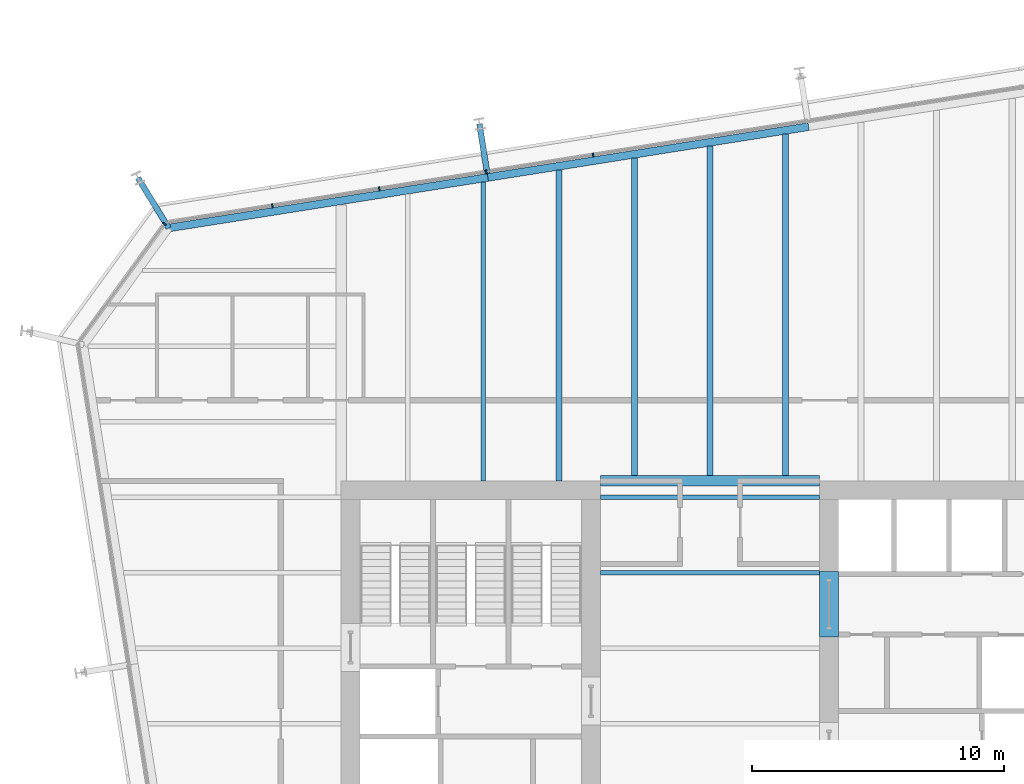
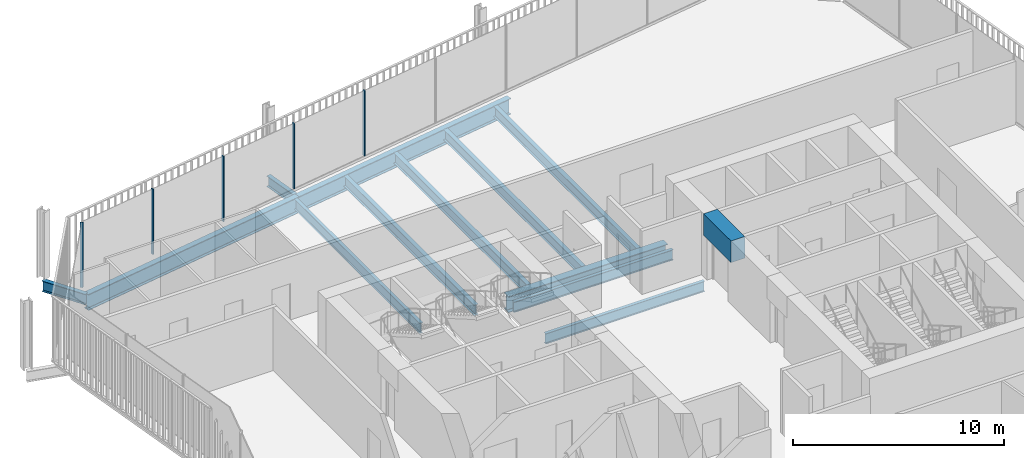
# One storey, part 11 of 21: 13 beams, 5 members, 2 elements without a shape of their own.
"""IFC4 building model written with IfcOpenShell, lengths in metres."""

from ifc_helpers import new_model, si_unit, direction, frame, origin, origin_2d, place, context, subcontext, project, spatial, rectangle, i_section, extrude, material, layer, layer_set, material_profile, profile_set, type_object, element, aggregate, save


model = new_model("IFC4")

# Units and contexts
model_context = context("Model", 3, precision=1e-05, world=origin(), true_north=direction((0.0, 1.0)))
body_context = subcontext(model_context, "Body", "Model", "MODEL_VIEW")
ifc_project = project(units=[si_unit("LENGTHUNIT", "METRE"), si_unit("AREAUNIT", "SQUARE_METRE"), si_unit("VOLUMEUNIT", "CUBIC_METRE"), si_unit("PLANEANGLEUNIT", "RADIAN"), si_unit("MASSUNIT", "GRAM", prefix="KILO")], contexts=[model_context])

# Site, building, storey
site_placement = place(None, origin())
site = spatial("IfcSite", under=ifc_project, at=site_placement, CompositionType="ELEMENT")
building_placement = place(site_placement, origin())
building = spatial("IfcBuilding", under=site, at=building_placement, Name="Millrace Tower", CompositionType="ELEMENT")
storey_placement = place(building_placement, frame((0.0, 0.0, 191.699951171875)))
storey = spatial("IfcBuildingStorey", under=building, at=storey_placement, Name="L43", CompositionType="ELEMENT", Elevation=191.699951171875)

# Curtain wall, members
ifc_material_1 = material(Name="Aluminium and glass", Category="aluminium")
ifc_layer = layer(ifc_material_1, 0.14990234375)
ifc_layer_set = layer_set([ifc_layer], Name="Aluminium and glass")
curtain_wall_type = type_object("IfcCurtainWallType", Name="CW-1 office vision curtain wall", PredefinedType="NOTDEFINED", material=ifc_layer_set)
placement = place(storey_placement, origin())
curtain_wall_1 = element("IfcCurtainWall", 1, at=placement, inside=storey, type_object=curtain_wall_type, Name="Curtain wall C-F06 L43", PredefinedType="NOTDEFINED")
ifc_material_2 = material(Name="Aluminium", Category="aluminium")
ifc_material_profile_1 = material_profile(ifc_material_2, rectangle(XDim=0.06494140625, YDim=0.14990234375, at=origin_2d()))
ifc_profile_set_1 = profile_set([ifc_material_profile_1], Name="Aluminium")
member_type = type_object("IfcMemberType", Name="CW-1 office vision curtain wall mullion", PredefinedType="MULLION", material=ifc_profile_set_1)
member_1_placement = place(storey_placement, frame((-4.6435546875, 22.59326171875, 0.14013671875), z_axis=(0.0, 0.0, 1.0), x_axis=(-0.98768833929, -0.15643447328, 0.0)))
member_1 = element("IfcMember", 2, at=member_1_placement, type_object=member_type, Name="CW1 mullion C-F06.6", PredefinedType="MULLION", context=body_context, shape_type="SweptSolid", body=[
    extrude(rectangle(XDim=0.06494140625, YDim=0.14990234375, at=origin_2d()), origin(), (0.0, 0.0, 1.0), 3.760009765625),
])
member_2_placement = place(storey_placement, frame((-8.890625, 21.920654296875, 0.14013671875), z_axis=(0.0, 0.0, 1.0), x_axis=(-0.98768833929, -0.15643447328, 0.0)))
member_2 = element("IfcMember", 3, at=member_2_placement, type_object=member_type, Name="CW1 mullion C-F06.7", PredefinedType="MULLION", context=body_context, shape_type="SweptSolid", body=[
    extrude(rectangle(XDim=0.06494140625, YDim=0.14990234375, at=origin_2d()), origin(), (0.0, 0.0, 1.0), 3.760009765625),
])
member_3_placement = place(storey_placement, frame((-13.1376953125, 21.248046875, 0.14013671875), z_axis=(0.0, 0.0, 1.0), x_axis=(-0.98768833929, -0.15643447328, 0.0)))
member_3 = element("IfcMember", 4, at=member_3_placement, type_object=member_type, Name="CW1 mullion C-F06.8", PredefinedType="MULLION", context=body_context, shape_type="SweptSolid", body=[
    extrude(rectangle(XDim=0.06494140625, YDim=0.14990234375, at=origin_2d()), origin(), (0.0, 0.0, 1.0), 3.760009765625),
])
member_4_placement = place(storey_placement, frame((-17.384765625, 20.575439453125, 0.14013671875), z_axis=(0.0, 0.0, 1.0), x_axis=(-0.98768833929, -0.15643447328, 0.0)))
member_4 = element("IfcMember", 5, at=member_4_placement, type_object=member_type, Name="CW1 mullion C-F06.9", PredefinedType="MULLION", context=body_context, shape_type="SweptSolid", body=[
    extrude(rectangle(XDim=0.06494140625, YDim=0.14990234375, at=origin_2d()), origin(), (0.0, 0.0, 1.0), 3.760009765625),
])
aggregate(curtain_wall_1, [member_1, member_2, member_3, member_4])

# Curtain wall, member
curtain_wall_2 = element("IfcCurtainWall", 6, at=placement, inside=storey, type_object=curtain_wall_type, Name="Curtain wall C-F07 L43", PredefinedType="NOTDEFINED")
member_5_placement = place(storey_placement, frame((-21.667724609375, 19.8515625, 0.14013671875), z_axis=(0.0, 0.0, 1.0), x_axis=(-0.587785269844, -0.809016981623, 0.0)))
member_5 = element("IfcMember", 7, at=member_5_placement, type_object=member_type, Name="CW1 mullion C-F07.1", PredefinedType="MULLION", context=body_context, shape_type="SweptSolid", body=[
    extrude(rectangle(XDim=0.06494140625, YDim=0.14990234375, at=origin_2d()), origin(), (0.0, 0.0, 1.0), 3.760009765625),
])
aggregate(curtain_wall_2, [member_5])

# Beams
ifc_material_3 = material(Name="Concrete C70", Category="concrete")
ifc_material_profile_2 = material_profile(ifc_material_3, rectangle(XDim=0.75, YDim=1.25, at=origin_2d()))
ifc_profile_set_2 = profile_set([ifc_material_profile_2], Name="Concrete C70")
beam_type_1 = type_object("IfcBeamType", Name="Coupling beam 750 x 1250 Concrete C70, 2000 opening", PredefinedType="BEAM", material=ifc_profile_set_2)
beam_1_placement = place(storey_placement, frame((4.72509765625, 6.050048828125, 3.025146484375), z_axis=(0.0, -1.0, 0.0), x_axis=(1.0, 0.0, 0.0)))
element("IfcBeam", 8, at=beam_1_placement, inside=storey, type_object=beam_type_1, Name="Coupling beam E L43", PredefinedType="BEAM", context=body_context, shape_type="SweptSolid", body=[
    extrude(rectangle(XDim=0.75, YDim=1.25, at=origin_2d()), origin(), (0.0, 0.0, 1.0), 2.60009765625),
])
ifc_material_4 = material(Name="Steel ASTM A992 Grade 50", Category="steel")
ifc_material_profile_3 = material_profile(ifc_material_4, i_section(OverallWidth=0.177978515625, OverallDepth=0.599365234375, WebThickness=0.010009765625, FlangeThickness=0.012939453125, FilletRadius=0.012939453125, at=origin_2d()))
ifc_profile_set_3 = profile_set([ifc_material_profile_3], Name="Steel ASTM A992 Grade 50")
beam_type_2 = type_object("IfcBeamType", Name="Floor beam W24x55", PredefinedType="JOIST", material=ifc_profile_set_3)
for number, where, z_axis, x_axis, name in (
    (9, (-4.35009765625, 6.0, -0.459716796875), (1.0, 0.0, 0.0), (0.0, 1.0, 0.0), "BM-C-L43-S1-S025"),
    (10, (-4.35009765625, 9.0, -0.459716796875), (1.0, 0.0, 0.0), (0.0, 1.0, 0.0), "BM-C-L43-S1-S028"),
):
    element("IfcBeam", number, at=place(storey_placement, frame(where, z_axis=z_axis, x_axis=x_axis)), inside=storey, type_object=beam_type_2, Name=name, PredefinedType="JOIST", context=body_context, shape_type="SweptSolid", body=[
        extrude(i_section(OverallWidth=0.177978515625, OverallDepth=0.599365234375, WebThickness=0.010009765625, FlangeThickness=0.012939453125, FilletRadius=0.012939453125, at=origin_2d()), origin(), (0.0, 0.0, 1.0), 8.7001953125),
    ])
ifc_material_5 = material(Name="Steel ASTM A992 Grade 50", Category="steel")
ifc_material_profile_4 = material_profile(ifc_material_5, i_section(OverallWidth=0.1787109375, OverallDepth=0.60205078125, WebThickness=0.010986328125, FlangeThickness=0.014892578125, FilletRadius=0.0126953125, at=origin_2d()))
ifc_profile_set_4 = profile_set([ifc_material_profile_4], Name="Steel ASTM A992 Grade 50")
beam_type_3 = type_object("IfcBeamType", Name="Floor beam W24x62", PredefinedType="JOIST", material=ifc_profile_set_4)
beam_2_placement = place(storey_placement, frame((-9.0, 9.64990234375, -0.4609375), z_axis=(0.0, 1.0, 0.0), x_axis=(-1.0, 0.0, 0.0)))
element("IfcBeam", 11, at=beam_2_placement, inside=storey, type_object=beam_type_3, Name="BM-C-L43-S1-S041", PredefinedType="JOIST", context=body_context, shape_type="SweptSolid", body=[
    extrude(i_section(OverallWidth=0.1787109375, OverallDepth=0.60205078125, WebThickness=0.010986328125, FlangeThickness=0.014892578125, FilletRadius=0.0126953125, at=origin_2d()), origin(), (0.0, 0.0, 1.0), 11.866455078125),
])
ifc_material_6 = material(Name="Steel ASTM A992 Grade 50", Category="steel")
ifc_material_profile_5 = material_profile(ifc_material_6, i_section(OverallWidth=0.228271484375, OverallDepth=0.607177734375, WebThickness=0.01123046875, FlangeThickness=0.017333984375, FilletRadius=0.0126953125, at=origin_2d()))
ifc_profile_set_5 = profile_set([ifc_material_profile_5], Name="Steel ASTM A992 Grade 50")
beam_type_4 = type_object("IfcBeamType", Name="Floor beam W24x76", PredefinedType="JOIST", material=ifc_profile_set_5)
beam_3_placement = place(storey_placement, frame((-6.0, 9.64990234375, -0.46337890625), z_axis=(0.0, 1.0, 0.0), x_axis=(-1.0, 0.0, 0.0)))
element("IfcBeam", 12, at=beam_3_placement, inside=storey, type_object=beam_type_4, Name="BM-C-L43-S1-S043", PredefinedType="JOIST", context=body_context, shape_type="SweptSolid", body=[
    extrude(i_section(OverallWidth=0.228271484375, OverallDepth=0.607177734375, WebThickness=0.01123046875, FlangeThickness=0.017333984375, FilletRadius=0.0126953125, at=origin_2d()), origin(), (0.0, 0.0, 1.0), 12.341552734375),
])
beam_4_placement = place(storey_placement, frame((-3.0, 9.859619140625, -0.46337890625), z_axis=(0.0, 1.0, 0.0), x_axis=(-1.0, 0.0, 0.0)))
element("IfcBeam", 13, at=beam_4_placement, inside=storey, type_object=beam_type_4, Name="BM-C-L43-S1-S045", PredefinedType="JOIST", context=body_context, shape_type="SweptSolid", body=[
    extrude(i_section(OverallWidth=0.228271484375, OverallDepth=0.607177734375, WebThickness=0.01123046875, FlangeThickness=0.017333984375, FilletRadius=0.0126953125, at=origin_2d()), origin(), (0.0, 0.0, 1.0), 12.60693359375),
])
beam_5_placement = place(storey_placement, frame((0.0, 9.859619140625, -0.46337890625), z_axis=(0.0, 1.0, 0.0), x_axis=(-1.0, 0.0, 0.0)))
element("IfcBeam", 14, at=beam_5_placement, inside=storey, type_object=beam_type_4, Name="BM-C-L43-S1-S047", PredefinedType="JOIST", context=body_context, shape_type="SweptSolid", body=[
    extrude(i_section(OverallWidth=0.228271484375, OverallDepth=0.607177734375, WebThickness=0.01123046875, FlangeThickness=0.017333984375, FilletRadius=0.0126953125, at=origin_2d()), origin(), (0.0, 0.0, 1.0), 13.08203125),
])
beam_6_placement = place(storey_placement, frame((3.0, 9.859619140625, -0.46337890625), z_axis=(0.0, 1.0, 0.0), x_axis=(-1.0, 0.0, 0.0)))
element("IfcBeam", 15, at=beam_6_placement, inside=storey, type_object=beam_type_4, Name="BM-C-L43-S1-S049", PredefinedType="JOIST", context=body_context, shape_type="SweptSolid", body=[
    extrude(i_section(OverallWidth=0.228271484375, OverallDepth=0.607177734375, WebThickness=0.01123046875, FlangeThickness=0.017333984375, FilletRadius=0.0126953125, at=origin_2d()), origin(), (0.0, 0.0, 1.0), 13.55712890625),
])
ifc_material_7 = material(Name="Steel ASTM A992 Grade 50", Category="steel")
ifc_material_profile_6 = material_profile(ifc_material_7, i_section(OverallWidth=0.419189453125, OverallDepth=0.927001953125, WebThickness=0.019287109375, FlangeThickness=0.031982421875, FilletRadius=0.024169921875, at=origin_2d()))
ifc_profile_set_6 = profile_set([ifc_material_profile_6], Name="Steel ASTM A992 Grade 50")
beam_type_5 = type_object("IfcBeamType", Name="Girder short span W36x231", PredefinedType="BEAM", material=ifc_profile_set_6)
beam_7_placement = place(storey_placement, frame((-4.35009765625, 9.64990234375, -0.62353515625), z_axis=(1.0, 0.0, 0.0), x_axis=(0.0, 1.0, 0.0)))
element("IfcBeam", 16, at=beam_7_placement, inside=storey, type_object=beam_type_5, Name="BM-C-L43-S1-G061", PredefinedType="BEAM", context=body_context, shape_type="SweptSolid", body=[
    extrude(i_section(OverallWidth=0.419189453125, OverallDepth=0.927001953125, WebThickness=0.019287109375, FlangeThickness=0.031982421875, FilletRadius=0.024169921875, at=origin_2d()), origin(), (0.0, 0.0, 1.0), 8.7001953125),
])
ifc_material_8 = material(Name="Steel ASTM A992 Grade 50", Category="steel")
ifc_material_profile_7 = material_profile(ifc_material_8, i_section(OverallWidth=0.23046875, OverallDepth=0.6171875, WebThickness=0.01318359375, FlangeThickness=0.022216796875, FilletRadius=0.012939453125, at=origin_2d()))
ifc_profile_set_7 = profile_set([ifc_material_profile_7], Name="Steel ASTM A992 Grade 50")
beam_type_6 = type_object("IfcBeamType", Name="Link beam W24x94", PredefinedType="BEAM", material=ifc_profile_set_7)
beam_8_placement = place(storey_placement, frame((-21.5009765625, 19.69189453125, -0.468505859375), z_axis=(-0.522512938711, 0.852631355792, 0.0), x_axis=(-0.852631355792, -0.522512938711, 0.0)))
element("IfcBeam", 17, at=beam_8_placement, inside=storey, type_object=beam_type_6, Name="LNK-C-L43-S1-05", PredefinedType="BEAM", context=body_context, shape_type="SweptSolid", body=[
    extrude(i_section(OverallWidth=0.23046875, OverallDepth=0.6171875, WebThickness=0.01318359375, FlangeThickness=0.022216796875, FilletRadius=0.012939453125, at=origin_2d()), origin(), (0.0, 0.0, 1.0), 2.3310546875),
])
beam_9_placement = place(storey_placement, frame((-8.8466796875, 21.8515625, -0.468505859375), z_axis=(-0.156476509441, 0.987681680499, 0.0), x_axis=(-0.987681680499, -0.156476509441, 0.0)))
element("IfcBeam", 18, at=beam_9_placement, inside=storey, type_object=beam_type_6, Name="LNK-C-L43-S1-06", PredefinedType="BEAM", context=body_context, shape_type="SweptSolid", body=[
    extrude(i_section(OverallWidth=0.23046875, OverallDepth=0.6171875, WebThickness=0.01318359375, FlangeThickness=0.022216796875, FilletRadius=0.012939453125, at=origin_2d()), origin(), (0.0, 0.0, 1.0), 2.000244140625),
])
ifc_material_9 = material(Name="Steel ASTM A992 Grade 50", Category="steel")
ifc_material_profile_8 = material_profile(ifc_material_9, i_section(OverallWidth=0.307373046875, OverallDepth=0.927001953125, WebThickness=0.01953125, FlangeThickness=0.031982421875, FilletRadius=0.01904296875, at=origin_2d()))
ifc_profile_set_8 = profile_set([ifc_material_profile_8], Name="Steel ASTM A992 Grade 50")
beam_type_7 = type_object("IfcBeamType", Name="Ring beam medium span W36x194", PredefinedType="SPANDREL", material=ifc_profile_set_8)
beam_10_placement = place(storey_placement, frame((-21.5009765625, 19.69189453125, -0.62353515625), z_axis=(0.987688058438, 0.156436246498, 0.0), x_axis=(-0.156436246498, 0.987688058438, 0.0)))
element("IfcBeam", 19, at=beam_10_placement, inside=storey, type_object=beam_type_7, Name="RNG-C-L43-S1-05", PredefinedType="SPANDREL", context=body_context, shape_type="SweptSolid", body=[
    extrude(i_section(OverallWidth=0.307373046875, OverallDepth=0.927001953125, WebThickness=0.01953125, FlangeThickness=0.031982421875, FilletRadius=0.01904296875, at=origin_2d()), origin(), (0.0, 0.0, 1.0), 12.836181640625),
])
beam_11_placement = place(storey_placement, frame((-8.82275390625, 21.699951171875, -0.62353515625), z_axis=(0.987687659758, 0.156438763615, 0.0), x_axis=(-0.156438763615, 0.987687659758, 0.0)))
element("IfcBeam", 20, at=beam_11_placement, inside=storey, type_object=beam_type_7, Name="RNG-C-L43-S1-06", PredefinedType="SPANDREL", context=body_context, shape_type="SweptSolid", body=[
    extrude(i_section(OverallWidth=0.307373046875, OverallDepth=0.927001953125, WebThickness=0.01953125, FlangeThickness=0.031982421875, FilletRadius=0.01904296875, at=origin_2d()), origin(), (0.0, 0.0, 1.0), 12.900146484375),
])

save(model, "model.ifc")
